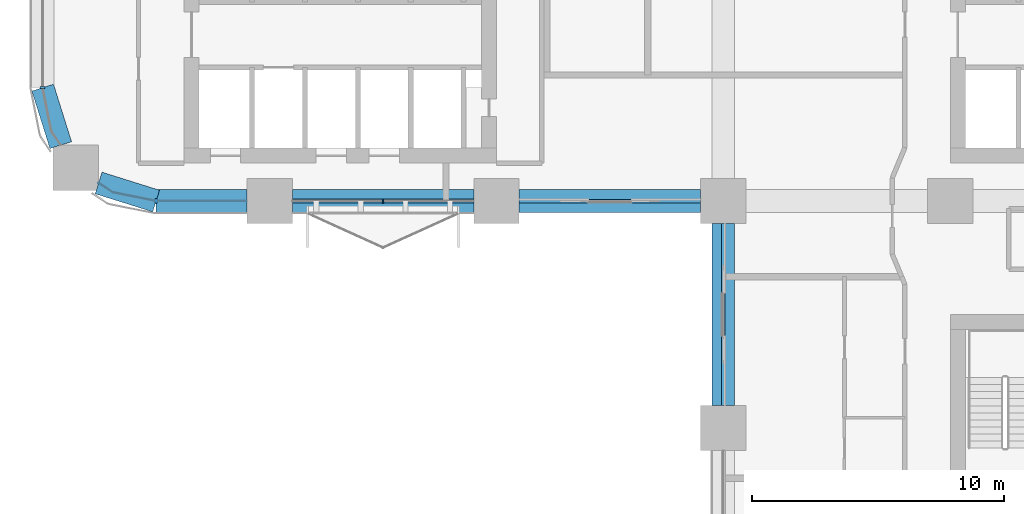
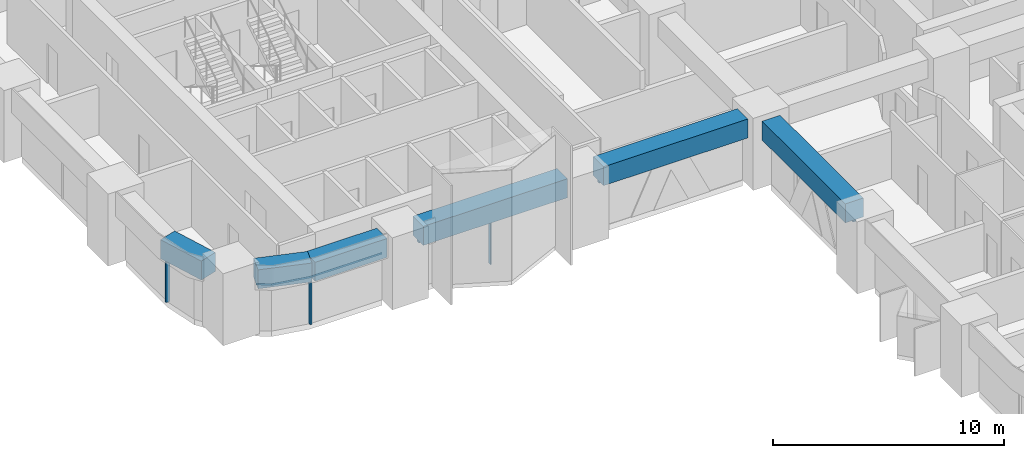
# One storey, part 3 of 24: 7 members, 6 beams, 5 elements without a shape of their own.
"""IFC4 building model written with IfcOpenShell, lengths in metres."""

from ifc_helpers import new_model, si_unit, direction, frame, origin, origin_2d, place, context, subcontext, project, spatial, polyline, rectangle, outline, extrude, material, material_profile, profile_set, type_object, element, aggregate, save


model = new_model("IFC4")

# Units and contexts
model_context = context("Model", 3, precision=1e-05, world=origin(), true_north=direction((0.0, 1.0)))
body_context = subcontext(model_context, "Body", "Model", "MODEL_VIEW")
ifc_project = project(units=[si_unit("LENGTHUNIT", "METRE"), si_unit("AREAUNIT", "SQUARE_METRE"), si_unit("VOLUMEUNIT", "CUBIC_METRE"), si_unit("PLANEANGLEUNIT", "RADIAN"), si_unit("MASSUNIT", "GRAM", prefix="KILO")], contexts=[model_context])

# Site, building, storey
site_placement = place(None, origin())
site = spatial("IfcSite", under=ifc_project, at=site_placement, CompositionType="ELEMENT")
building_placement = place(site_placement, origin())
building = spatial("IfcBuilding", under=site, at=building_placement, Name="Tessera Arch", CompositionType="ELEMENT")
storey_placement = place(building_placement, frame((0.0, 0.0, 81.60009765625)))
storey = spatial("IfcBuildingStorey", under=building, at=storey_placement, Name="L18", CompositionType="ELEMENT", Elevation=81.60009765625)

# Curtain wall, members
ifc_material_1 = material(Name="CW1 curtain wall")
curtain_wall_type_1 = type_object("IfcCurtainWallType", Name="CW1 curtain wall", PredefinedType="NOTDEFINED", material=ifc_material_1)
curtain_wall_1_placement = place(storey_placement, origin())
curtain_wall_1 = element("IfcCurtainWall", 1, at=curtain_wall_1_placement, inside=storey, type_object=curtain_wall_type_1, Name="CW1 curtain wall S27.0/1 L18", PredefinedType="NOTDEFINED")
ifc_material_2 = material(Name="Anodised aluminium pale metal", Category="aluminium")
ifc_material_profile_1 = material_profile(ifc_material_2, rectangle(XDim=0.159912109375, YDim=0.06005859375, at=origin_2d()), Name="AL 60x160")
ifc_profile_set_1 = profile_set([ifc_material_profile_1], Name="Anodised aluminium pale metal")
member_type_1 = type_object("IfcMemberType", Name="CW1 mullion", PredefinedType="MULLION", material=ifc_profile_set_1)
member_1_placement = place(storey_placement, frame((13.5, 27.0, 0.0), z_axis=(0.0, 0.0, 1.0), x_axis=(0.0, 1.0, 0.0)))
member_1 = element("IfcMember", 2, at=member_1_placement, type_object=member_type_1, Name="CW1 mullion S27.0/1 1", PredefinedType="MULLION", context=body_context, shape_type="SweptSolid", body=[
    extrude(rectangle(XDim=0.159912109375, YDim=0.06005859375, at=origin_2d()), origin(), (0.0, 0.0, 1.0), 2.39990234375),
])
ifc_material_3 = material(Name="Anodised aluminium pale metal", Category="aluminium")
ifc_material_profile_2 = material_profile(ifc_material_3, rectangle(XDim=0.159912109375, YDim=0.10009765625, at=origin_2d()), Name="AL 160x100")
ifc_profile_set_2 = profile_set([ifc_material_profile_2], Name="Anodised aluminium pale metal")
member_type_2 = type_object("IfcMemberType", Name="CW1 transom", PredefinedType="USERDEFINED", material=ifc_profile_set_2)
member_2_placement = place(storey_placement, frame((9.89990234375, 27.0, 2.449951171875), z_axis=(1.0, 0.0, 0.0), x_axis=(0.0, 1.0, 0.0)))
member_2 = element("IfcMember", 3, at=member_2_placement, type_object=member_type_2, Name="CW1 transom S27.0/1 1.1", ObjectType="TRANSOM", PredefinedType="USERDEFINED", context=body_context, shape_type="SweptSolid", body=[
    extrude(rectangle(XDim=0.159912109375, YDim=0.10009765625, at=origin_2d()), origin(), (0.0, 0.0, 1.0), 7.2001953125),
])
aggregate(curtain_wall_1, [member_1, member_2])

# Curtain wall, member
ifc_material_4 = material(Name="CW2 curtain wall")
curtain_wall_type_2 = type_object("IfcCurtainWallType", Name="CW2 curtain wall", PredefinedType="NOTDEFINED", material=ifc_material_4)
curtain_wall_2_placement = place(storey_placement, origin())
curtain_wall_2 = element("IfcCurtainWall", 4, at=curtain_wall_2_placement, inside=storey, type_object=curtain_wall_type_2, Name="CW2 curtain wall W0.27/2 L18", PredefinedType="NOTDEFINED")
ifc_material_5 = material(Name="Anodised aluminium pale metal", Category="aluminium")
ifc_material_profile_3 = material_profile(ifc_material_5, rectangle(XDim=0.199951171875, YDim=0.080078125, at=origin_2d()), Name="AL 80x200")
ifc_profile_set_3 = profile_set([ifc_material_profile_3], Name="Anodised aluminium pale metal")
member_type_3 = type_object("IfcMemberType", Name="CW2 mullion", PredefinedType="MULLION", material=ifc_profile_set_3)
member_3_placement = place(storey_placement, frame((0.0, 31.5, 0.0), z_axis=(0.0, 0.0, 1.0), x_axis=(1.0, 0.0, 0.0)))
member_3 = element("IfcMember", 5, at=member_3_placement, type_object=member_type_3, Name="CW2 mullion W0.27/2 1", PredefinedType="MULLION", context=body_context, shape_type="SweptSolid", body=[
    extrude(rectangle(XDim=0.199951171875, YDim=0.080078125, at=origin_2d()), origin(), (0.0, 0.0, 1.0), 2.39990234375),
])
aggregate(curtain_wall_2, [member_3])

# Curtain wall, members
curtain_wall_3_placement = place(storey_placement, origin())
curtain_wall_3 = element("IfcCurtainWall", 6, at=curtain_wall_3_placement, inside=storey, type_object=curtain_wall_type_2, Name="CW2 curtain wall S27.0/0 L18", PredefinedType="NOTDEFINED")
member_4_placement = place(storey_placement, frame((4.5, 27.0, 0.0), z_axis=(0.0, 0.0, 1.0), x_axis=(0.0, 1.0, 0.0)))
member_4 = element("IfcMember", 7, at=member_4_placement, type_object=member_type_3, Name="CW2 mullion S27.0/0 1", PredefinedType="MULLION", context=body_context, shape_type="SweptSolid", body=[
    extrude(rectangle(XDim=0.199951171875, YDim=0.080078125, at=origin_2d()), origin(), (0.0, 0.0, 1.0), 2.39990234375),
])
ifc_material_6 = material(Name="Anodised aluminium pale metal", Category="aluminium")
ifc_material_profile_4 = material_profile(ifc_material_6, rectangle(XDim=0.199951171875, YDim=0.10009765625, at=origin_2d()), Name="AL 200x100")
ifc_profile_set_4 = profile_set([ifc_material_profile_4], Name="Anodised aluminium pale metal")
member_type_4 = type_object("IfcMemberType", Name="CW2 transom", PredefinedType="USERDEFINED", material=ifc_profile_set_4)
member_5_placement = place(storey_placement, frame((0.0, 0.0, 2.39990234375)))
member_5 = element("IfcMember", 8, at=member_5_placement, type_object=member_type_4, Name="CW2 transom S27.0/0 1", ObjectType="TRANSOM", PredefinedType="USERDEFINED", context=body_context, shape_type="SweptSolid", body=[
    extrude(outline(polyline([(2.78173828125, 27.351806640625), (2.2236328125, 27.72509765625), (2.21240234375, 27.70849609375), (2.77392578125, 27.3330078125), (4.4990234375, 26.989990234375), (8.10009765625, 26.989990234375), (8.10009765625, 27.010009765625), (4.5009765625, 27.010009765625), (2.78173828125, 27.351806640625)])), origin(), (0.0, 0.0, 1.0), 0.10009765625),
])
aggregate(curtain_wall_3, [member_4, member_5])

# Curtain wall, member
ifc_material_7 = material(Name="CW3 curtain wall")
curtain_wall_type_3 = type_object("IfcCurtainWallType", Name="CW3 curtain wall", PredefinedType="NOTDEFINED", material=ifc_material_7)
curtain_wall_4_placement = place(storey_placement, origin())
curtain_wall_4 = element("IfcCurtainWall", 9, at=curtain_wall_4_placement, inside=storey, type_object=curtain_wall_type_3, Name="CW3 curtain wall S27.0/2 L18", PredefinedType="NOTDEFINED")
ifc_material_8 = material(Name="Anodised aluminium pale metal", Category="aluminium")
ifc_material_profile_5 = material_profile(ifc_material_8, rectangle(XDim=0.139892578125, YDim=0.10009765625, at=origin_2d()), Name="AL 140x100")
ifc_profile_set_5 = profile_set([ifc_material_profile_5], Name="Anodised aluminium pale metal")
member_type_5 = type_object("IfcMemberType", Name="CW3 transom", PredefinedType="USERDEFINED", material=ifc_profile_set_5)
member_6_placement = place(storey_placement, frame((18.89990234375, 27.0, 2.449951171875), z_axis=(1.0, 0.0, 0.0), x_axis=(0.0, 1.0, 0.0)))
member_6 = element("IfcMember", 10, at=member_6_placement, type_object=member_type_5, Name="CW3 transom S27.0/2 1.1", ObjectType="TRANSOM", PredefinedType="USERDEFINED", context=body_context, shape_type="SweptSolid", body=[
    extrude(rectangle(XDim=0.139892578125, YDim=0.10009765625, at=origin_2d()), origin(), (0.0, 0.0, 1.0), 7.2001953125),
])
aggregate(curtain_wall_4, [member_6])

curtain_wall_5_placement = place(storey_placement, origin())
curtain_wall_5 = element("IfcCurtainWall", 11, at=curtain_wall_5_placement, inside=storey, type_object=curtain_wall_type_3, Name="CW3 curtain wall W27.0/0 L18", PredefinedType="NOTDEFINED")
member_7_placement = place(storey_placement, frame((27.0, 26.10009765625, 2.449951171875), z_axis=(0.0, -1.0, 0.0), x_axis=(1.0, 0.0, 0.0)))
member_7 = element("IfcMember", 12, at=member_7_placement, type_object=member_type_5, Name="CW3 transom W27.0/0 1.1", ObjectType="TRANSOM", PredefinedType="USERDEFINED", context=body_context, shape_type="SweptSolid", body=[
    extrude(rectangle(XDim=0.139892578125, YDim=0.10009765625, at=origin_2d()), origin(), (0.0, 0.0, 1.0), 7.2001953125),
])
aggregate(curtain_wall_5, [member_7])

# Beams
ifc_material_9 = material(Name="Concrete C80/95", Category="concrete")
ifc_material_profile_6 = material_profile(ifc_material_9, rectangle(XDim=0.89990234375, YDim=1.0, at=origin_2d()), Name="RC spandrel beam 900 x 1000 Concrete C80/95")
ifc_profile_set_6 = profile_set([ifc_material_profile_6], Name="Concrete C80/95")
beam_type = type_object("IfcBeamType", Name="RC spandrel beam 900 x 1000 Concrete C80/95", PredefinedType="BEAM", material=ifc_profile_set_6)
for number, where, z_axis, x_axis, name in (
    (13, (0.0, 31.5, 3.0), (0.299675309057, -0.954041251279, 0.0), (0.954041251279, 0.299675309057, 0.0), "Spandrel beam L18 W0.27/2.2"),
    (14, (2.218017578125, 27.716796875, 3.0), (0.954041251279, -0.299675309057, 0.0), (0.299675309057, 0.954041251279, 0.0), "Spandrel beam L18 S27.0/0.1"),
):
    element("IfcBeam", number, at=place(storey_placement, frame(where, z_axis=z_axis, x_axis=x_axis)), inside=storey, type_object=beam_type, Name=name, PredefinedType="BEAM", context=body_context, shape_type="SweptSolid", body=[
        extrude(rectangle(XDim=0.89990234375, YDim=1.0, at=origin_2d()), origin(), (0.0, 0.0, 1.0), 2.391845703125),
    ])
beam_placement = place(storey_placement, frame((4.5, 27.0, 3.0), z_axis=(1.0, 0.0, 0.0), x_axis=(0.0, 1.0, 0.0)))
element("IfcBeam", 15, at=beam_placement, inside=storey, type_object=beam_type, Name="Spandrel beam L18 S27.0/0.2", PredefinedType="BEAM", context=body_context, shape_type="SweptSolid", body=[
    extrude(rectangle(XDim=0.89990234375, YDim=1.0, at=origin_2d()), origin(), (0.0, 0.0, 1.0), 3.60009765625),
])
for number, where, z_axis, x_axis, name in (
    (16, (9.89990234375, 27.0, 3.0), (1.0, 0.0, 0.0), (0.0, 1.0, 0.0), "Spandrel beam L18 S27.0/1"),
    (17, (18.89990234375, 27.0, 3.0), (1.0, 0.0, 0.0), (0.0, 1.0, 0.0), "Spandrel beam L18 S27.0/2"),
    (18, (27.0, 26.10009765625, 3.0), (0.0, -1.0, 0.0), (1.0, 0.0, 0.0), "Spandrel beam L18 W27.0/0"),
):
    element("IfcBeam", number, at=place(storey_placement, frame(where, z_axis=z_axis, x_axis=x_axis)), inside=storey, type_object=beam_type, Name=name, PredefinedType="BEAM", context=body_context, shape_type="SweptSolid", body=[
        extrude(rectangle(XDim=0.89990234375, YDim=1.0, at=origin_2d()), origin(), (0.0, 0.0, 1.0), 7.2001953125),
    ])

save(model, "model.ifc")
